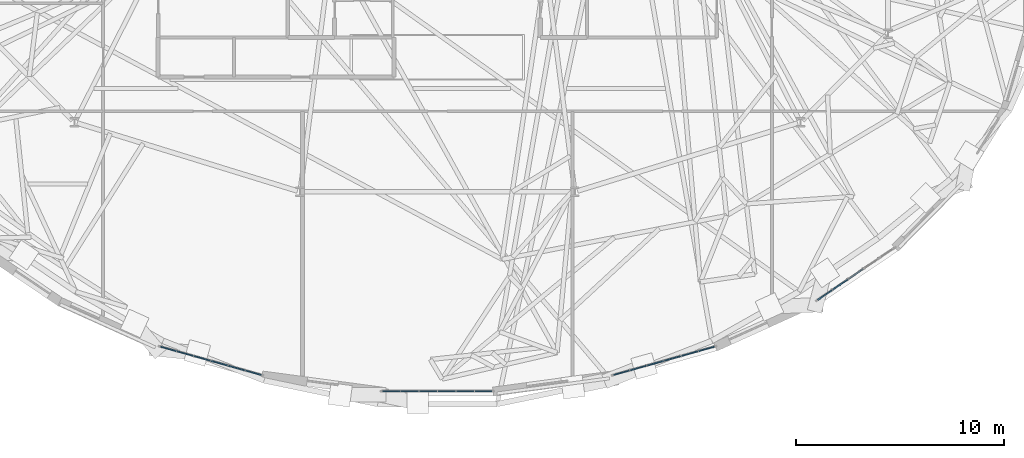
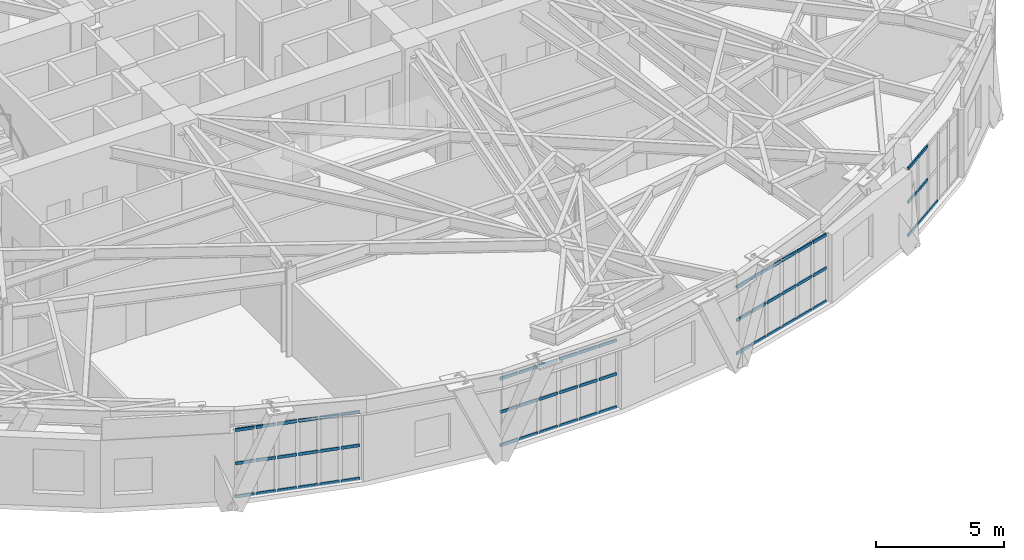
# One storey, part 8 of 20: 61 members, 4 elements without a shape of their own.
"""IFC4 building model written with IfcOpenShell, lengths in metres."""

from ifc_helpers import new_model, si_unit, direction, frame, origin, origin_2d, place, context, subcontext, project, spatial, rectangle, extrude, material, layer, layer_set, material_profile, profile_set, type_object, element, aggregate, save


model = new_model("IFC4")

# Units and contexts
model_context = context("Model", 3, precision=1e-05, world=origin(), true_north=direction((0.0, 1.0)))
body_context = subcontext(model_context, "Body", "Model", "MODEL_VIEW")
ifc_project = project(units=[si_unit("LENGTHUNIT", "METRE"), si_unit("AREAUNIT", "SQUARE_METRE"), si_unit("VOLUMEUNIT", "CUBIC_METRE"), si_unit("PLANEANGLEUNIT", "RADIAN"), si_unit("MASSUNIT", "GRAM", prefix="KILO")], contexts=[model_context])

# Site, building, storey
site_placement = place(None, origin())
site = spatial("IfcSite", under=ifc_project, at=site_placement, CompositionType="ELEMENT")
building_placement = place(site_placement, origin())
building = spatial("IfcBuilding", under=site, at=building_placement, Name="Keldmark Tower", CompositionType="ELEMENT")
storey_placement = place(building_placement, frame((0.0, 0.0, 81.89990234375)))
storey = spatial("IfcBuildingStorey", under=building, at=storey_placement, Name="L21", CompositionType="ELEMENT", Elevation=81.89990234375)

# Curtain wall, members
ifc_material_1 = material(Name="Unitized Thermally Broken Aluminum and Triple Low-E Glazing", Category="aluminium")
ifc_layer = layer(ifc_material_1, 0.219970703125)
ifc_layer_set = layer_set([ifc_layer], Name="Unitized Thermally Broken Aluminum and Triple Low-E Glazing")
curtain_wall_type = type_object("IfcCurtainWallType", Name="Sky Lobby Amenity Curtain Wall System", PredefinedType="NOTDEFINED", material=ifc_layer_set)
curtain_wall_1_placement = place(storey_placement, origin())
curtain_wall_1 = element("IfcCurtainWall", 1, at=curtain_wall_1_placement, inside=storey, type_object=curtain_wall_type, Name="L21 Sky Lobby Amenity Curtain Wall System CW-L21-22", PredefinedType="NOTDEFINED")
ifc_material_2 = material(Name="Extruded Aluminum Alloy 6063-T6", Category="aluminium")
ifc_material_profile = material_profile(ifc_material_2, rectangle(XDim=0.06005859375, YDim=0.139892578125, at=origin_2d()), Name="CWT60X140")
ifc_profile_set = profile_set([ifc_material_profile], Name="Extruded Aluminum Alloy 6063-T6")
member_type = type_object("IfcMemberType", Name="Curtain Wall Horizontal Transom 60x140", PredefinedType="USERDEFINED", material=ifc_profile_set)
member_1_placement = place(storey_placement, frame((-8.493408203125, -18.39453125, 0.030029296875), z_axis=(-0.962811656393, 0.270173489286, 0.0), x_axis=(-0.270173489286, -0.962811656393, 0.0)))
member_1 = element("IfcMember", 2, at=member_1_placement, type_object=member_type, Name="CW transom 1.1", ObjectType="TRANSOM", PredefinedType="USERDEFINED", context=body_context, shape_type="SweptSolid", body=[
    extrude(rectangle(XDim=0.06005859375, YDim=0.139892578125, at=origin_2d()), origin(), (0.0, 0.0, 1.0), 0.766357421875),
])
member_2_placement = place(storey_placement, frame((-8.493408203125, -18.39453125, 1.614013671875), z_axis=(-0.962811656393, 0.270173489286, 0.0), x_axis=(-0.270173489286, -0.962811656393, 0.0)))
member_2 = element("IfcMember", 3, at=member_2_placement, type_object=member_type, Name="CW transom 1.2", ObjectType="TRANSOM", PredefinedType="USERDEFINED", context=body_context, shape_type="SweptSolid", body=[
    extrude(rectangle(XDim=0.06005859375, YDim=0.139892578125, at=origin_2d()), origin(), (0.0, 0.0, 1.0), 0.766357421875),
])
member_3_placement = place(storey_placement, frame((-8.493408203125, -18.39453125, 3.197998046875), z_axis=(-0.962811656393, 0.270173489286, 0.0), x_axis=(-0.270173489286, -0.962811656393, 0.0)))
member_3 = element("IfcMember", 4, at=member_3_placement, type_object=member_type, Name="CW transom 1.3", ObjectType="TRANSOM", PredefinedType="USERDEFINED", context=body_context, shape_type="SweptSolid", body=[
    extrude(rectangle(XDim=0.06005859375, YDim=0.139892578125, at=origin_2d()), origin(), (0.0, 0.0, 1.0), 0.766357421875),
])
member_4_placement = place(storey_placement, frame((-9.288818359375, -18.17138671875, 0.030029296875), z_axis=(-0.962820577043, 0.270141696935, 0.0), x_axis=(-0.270141696935, -0.962820577043, 0.0)))
member_4 = element("IfcMember", 5, at=member_4_placement, type_object=member_type, Name="CW transom 2.1", ObjectType="TRANSOM", PredefinedType="USERDEFINED", context=body_context, shape_type="SweptSolid", body=[
    extrude(rectangle(XDim=0.06005859375, YDim=0.139892578125, at=origin_2d()), origin(), (0.0, 0.0, 1.0), 0.796142578125),
])
member_5_placement = place(storey_placement, frame((-9.288818359375, -18.17138671875, 1.614013671875), z_axis=(-0.962820577043, 0.270141696935, 0.0), x_axis=(-0.270141696935, -0.962820577043, 0.0)))
member_5 = element("IfcMember", 6, at=member_5_placement, type_object=member_type, Name="CW transom 2.2", ObjectType="TRANSOM", PredefinedType="USERDEFINED", context=body_context, shape_type="SweptSolid", body=[
    extrude(rectangle(XDim=0.06005859375, YDim=0.139892578125, at=origin_2d()), origin(), (0.0, 0.0, 1.0), 0.796142578125),
])
member_6_placement = place(storey_placement, frame((-9.288818359375, -18.17138671875, 3.197998046875), z_axis=(-0.962820577043, 0.270141696935, 0.0), x_axis=(-0.270141696935, -0.962820577043, 0.0)))
member_6 = element("IfcMember", 7, at=member_6_placement, type_object=member_type, Name="CW transom 2.3", ObjectType="TRANSOM", PredefinedType="USERDEFINED", context=body_context, shape_type="SweptSolid", body=[
    extrude(rectangle(XDim=0.06005859375, YDim=0.139892578125, at=origin_2d()), origin(), (0.0, 0.0, 1.0), 0.796142578125),
])
member_7_placement = place(storey_placement, frame((-10.11328125, -17.940185546875, 0.030029296875), z_axis=(-0.962820577043, 0.270141696935, 0.0), x_axis=(-0.270141696935, -0.962820577043, 0.0)))
member_7 = element("IfcMember", 8, at=member_7_placement, type_object=member_type, Name="CW transom 3.1", ObjectType="TRANSOM", PredefinedType="USERDEFINED", context=body_context, shape_type="SweptSolid", body=[
    extrude(rectangle(XDim=0.06005859375, YDim=0.139892578125, at=origin_2d()), origin(), (0.0, 0.0, 1.0), 0.796142578125),
])
member_8_placement = place(storey_placement, frame((-10.11328125, -17.940185546875, 1.614013671875), z_axis=(-0.962820577043, 0.270141696935, 0.0), x_axis=(-0.270141696935, -0.962820577043, 0.0)))
member_8 = element("IfcMember", 9, at=member_8_placement, type_object=member_type, Name="CW transom 3.2", ObjectType="TRANSOM", PredefinedType="USERDEFINED", context=body_context, shape_type="SweptSolid", body=[
    extrude(rectangle(XDim=0.06005859375, YDim=0.139892578125, at=origin_2d()), origin(), (0.0, 0.0, 1.0), 0.796142578125),
])
member_9_placement = place(storey_placement, frame((-10.11328125, -17.940185546875, 3.197998046875), z_axis=(-0.962820577043, 0.270141696935, 0.0), x_axis=(-0.270141696935, -0.962820577043, 0.0)))
member_9 = element("IfcMember", 10, at=member_9_placement, type_object=member_type, Name="CW transom 3.3", ObjectType="TRANSOM", PredefinedType="USERDEFINED", context=body_context, shape_type="SweptSolid", body=[
    extrude(rectangle(XDim=0.06005859375, YDim=0.139892578125, at=origin_2d()), origin(), (0.0, 0.0, 1.0), 0.796142578125),
])
member_10_placement = place(storey_placement, frame((-10.937744140625, -17.708984375, 0.030029296875), z_axis=(-0.962820577043, 0.270141696935, 0.0), x_axis=(-0.270141696935, -0.962820577043, 0.0)))
member_10 = element("IfcMember", 11, at=member_10_placement, type_object=member_type, Name="CW transom 4.1", ObjectType="TRANSOM", PredefinedType="USERDEFINED", context=body_context, shape_type="SweptSolid", body=[
    extrude(rectangle(XDim=0.06005859375, YDim=0.139892578125, at=origin_2d()), origin(), (0.0, 0.0, 1.0), 0.796142578125),
])
member_11_placement = place(storey_placement, frame((-10.937744140625, -17.708984375, 1.614013671875), z_axis=(-0.962820577043, 0.270141696935, 0.0), x_axis=(-0.270141696935, -0.962820577043, 0.0)))
member_11 = element("IfcMember", 12, at=member_11_placement, type_object=member_type, Name="CW transom 4.2", ObjectType="TRANSOM", PredefinedType="USERDEFINED", context=body_context, shape_type="SweptSolid", body=[
    extrude(rectangle(XDim=0.06005859375, YDim=0.139892578125, at=origin_2d()), origin(), (0.0, 0.0, 1.0), 0.796142578125),
])
member_12_placement = place(storey_placement, frame((-10.937744140625, -17.708984375, 3.197998046875), z_axis=(-0.962820577043, 0.270141696935, 0.0), x_axis=(-0.270141696935, -0.962820577043, 0.0)))
member_12 = element("IfcMember", 13, at=member_12_placement, type_object=member_type, Name="CW transom 4.3", ObjectType="TRANSOM", PredefinedType="USERDEFINED", context=body_context, shape_type="SweptSolid", body=[
    extrude(rectangle(XDim=0.06005859375, YDim=0.139892578125, at=origin_2d()), origin(), (0.0, 0.0, 1.0), 0.796142578125),
])
member_13_placement = place(storey_placement, frame((-11.76220703125, -17.477783203125, 0.030029296875), z_axis=(-0.962820577043, 0.270141696935, 0.0), x_axis=(-0.270141696935, -0.962820577043, 0.0)))
member_13 = element("IfcMember", 14, at=member_13_placement, type_object=member_type, Name="CW transom 5.1", ObjectType="TRANSOM", PredefinedType="USERDEFINED", context=body_context, shape_type="SweptSolid", body=[
    extrude(rectangle(XDim=0.06005859375, YDim=0.139892578125, at=origin_2d()), origin(), (0.0, 0.0, 1.0), 0.796142578125),
])
member_14_placement = place(storey_placement, frame((-11.76220703125, -17.477783203125, 1.614013671875), z_axis=(-0.962820577043, 0.270141696935, 0.0), x_axis=(-0.270141696935, -0.962820577043, 0.0)))
member_14 = element("IfcMember", 15, at=member_14_placement, type_object=member_type, Name="CW transom 5.2", ObjectType="TRANSOM", PredefinedType="USERDEFINED", context=body_context, shape_type="SweptSolid", body=[
    extrude(rectangle(XDim=0.06005859375, YDim=0.139892578125, at=origin_2d()), origin(), (0.0, 0.0, 1.0), 0.796142578125),
])
member_15_placement = place(storey_placement, frame((-11.76220703125, -17.477783203125, 3.197998046875), z_axis=(-0.962820577043, 0.270141696935, 0.0), x_axis=(-0.270141696935, -0.962820577043, 0.0)))
member_15 = element("IfcMember", 16, at=member_15_placement, type_object=member_type, Name="CW transom 5.3", ObjectType="TRANSOM", PredefinedType="USERDEFINED", context=body_context, shape_type="SweptSolid", body=[
    extrude(rectangle(XDim=0.06005859375, YDim=0.139892578125, at=origin_2d()), origin(), (0.0, 0.0, 1.0), 0.796142578125),
])
member_16_placement = place(storey_placement, frame((-12.58642578125, -17.24658203125, 0.030029296875), z_axis=(-0.962894494631, 0.269878106205, 0.0), x_axis=(-0.269878106205, -0.962894494631, 0.0)))
member_16 = element("IfcMember", 17, at=member_16_placement, type_object=member_type, Name="CW transom 6.1", ObjectType="TRANSOM", PredefinedType="USERDEFINED", context=body_context, shape_type="SweptSolid", body=[
    extrude(rectangle(XDim=0.06005859375, YDim=0.139892578125, at=origin_2d()), origin(), (0.0, 0.0, 1.0), 0.76611328125),
])
member_17_placement = place(storey_placement, frame((-12.58642578125, -17.24658203125, 1.614013671875), z_axis=(-0.962894494631, 0.269878106205, 0.0), x_axis=(-0.269878106205, -0.962894494631, 0.0)))
member_17 = element("IfcMember", 18, at=member_17_placement, type_object=member_type, Name="CW transom 6.2", ObjectType="TRANSOM", PredefinedType="USERDEFINED", context=body_context, shape_type="SweptSolid", body=[
    extrude(rectangle(XDim=0.06005859375, YDim=0.139892578125, at=origin_2d()), origin(), (0.0, 0.0, 1.0), 0.76611328125),
])
member_18_placement = place(storey_placement, frame((-12.58642578125, -17.24658203125, 3.197998046875), z_axis=(-0.962894494631, 0.269878106205, 0.0), x_axis=(-0.269878106205, -0.962894494631, 0.0)))
member_18 = element("IfcMember", 19, at=member_18_placement, type_object=member_type, Name="CW transom 6.3", ObjectType="TRANSOM", PredefinedType="USERDEFINED", context=body_context, shape_type="SweptSolid", body=[
    extrude(rectangle(XDim=0.06005859375, YDim=0.139892578125, at=origin_2d()), origin(), (0.0, 0.0, 1.0), 0.76611328125),
])
aggregate(curtain_wall_1, [member_1, member_2, member_3, member_4, member_5, member_6, member_7, member_8, member_9, member_10, member_11, member_12, member_13, member_14, member_15, member_16, member_17, member_18])

curtain_wall_2_placement = place(storey_placement, origin())
curtain_wall_2 = element("IfcCurtainWall", 20, at=curtain_wall_2_placement, inside=storey, type_object=curtain_wall_type, Name="L21 Sky Lobby Amenity Curtain Wall System CW-L21-24", PredefinedType="NOTDEFINED")
member_19_placement = place(storey_placement, frame((2.622802734375, -19.18603515625, 0.030029296875), z_axis=(-1.0, 0.0, 0.0), x_axis=(0.0, -1.0, 0.0)))
member_19 = element("IfcMember", 21, at=member_19_placement, type_object=member_type, Name="CW transom 1.1", ObjectType="TRANSOM", PredefinedType="USERDEFINED", context=body_context, shape_type="SweptSolid", body=[
    extrude(rectangle(XDim=0.06005859375, YDim=0.139892578125, at=origin_2d()), origin(), (0.0, 0.0, 1.0), 0.80419921875),
])
member_20_placement = place(storey_placement, frame((2.622802734375, -19.18603515625, 1.614013671875), z_axis=(-1.0, 0.0, 0.0), x_axis=(0.0, -1.0, 0.0)))
member_20 = element("IfcMember", 22, at=member_20_placement, type_object=member_type, Name="CW transom 1.2", ObjectType="TRANSOM", PredefinedType="USERDEFINED", context=body_context, shape_type="SweptSolid", body=[
    extrude(rectangle(XDim=0.06005859375, YDim=0.139892578125, at=origin_2d()), origin(), (0.0, 0.0, 1.0), 0.80419921875),
])
member_21_placement = place(storey_placement, frame((2.622802734375, -19.18603515625, 3.197998046875), z_axis=(-1.0, 0.0, 0.0), x_axis=(0.0, -1.0, 0.0)))
member_21 = element("IfcMember", 23, at=member_21_placement, type_object=member_type, Name="CW transom 1.3", ObjectType="TRANSOM", PredefinedType="USERDEFINED", context=body_context, shape_type="SweptSolid", body=[
    extrude(rectangle(XDim=0.06005859375, YDim=0.139892578125, at=origin_2d()), origin(), (0.0, 0.0, 1.0), 0.80419921875),
])
member_22_placement = place(storey_placement, frame((1.758544921875, -19.18603515625, 0.030029296875), z_axis=(-1.0, 0.0, 0.0), x_axis=(0.0, -1.0, 0.0)))
member_22 = element("IfcMember", 24, at=member_22_placement, type_object=member_type, Name="CW transom 2.1", ObjectType="TRANSOM", PredefinedType="USERDEFINED", context=body_context, shape_type="SweptSolid", body=[
    extrude(rectangle(XDim=0.06005859375, YDim=0.139892578125, at=origin_2d()), origin(), (0.0, 0.0, 1.0), 0.834228515625),
])
member_23_placement = place(storey_placement, frame((1.758544921875, -19.18603515625, 1.614013671875), z_axis=(-1.0, 0.0, 0.0), x_axis=(0.0, -1.0, 0.0)))
member_23 = element("IfcMember", 25, at=member_23_placement, type_object=member_type, Name="CW transom 2.2", ObjectType="TRANSOM", PredefinedType="USERDEFINED", context=body_context, shape_type="SweptSolid", body=[
    extrude(rectangle(XDim=0.06005859375, YDim=0.139892578125, at=origin_2d()), origin(), (0.0, 0.0, 1.0), 0.834228515625),
])
member_24_placement = place(storey_placement, frame((1.758544921875, -19.18603515625, 3.197998046875), z_axis=(-1.0, 0.0, 0.0), x_axis=(0.0, -1.0, 0.0)))
member_24 = element("IfcMember", 26, at=member_24_placement, type_object=member_type, Name="CW transom 2.3", ObjectType="TRANSOM", PredefinedType="USERDEFINED", context=body_context, shape_type="SweptSolid", body=[
    extrude(rectangle(XDim=0.06005859375, YDim=0.139892578125, at=origin_2d()), origin(), (0.0, 0.0, 1.0), 0.834228515625),
])
member_25_placement = place(storey_placement, frame((0.8642578125, -19.18603515625, 0.030029296875), z_axis=(-1.0, 0.0, 0.0), x_axis=(0.0, -1.0, 0.0)))
member_25 = element("IfcMember", 27, at=member_25_placement, type_object=member_type, Name="CW transom 3.1", ObjectType="TRANSOM", PredefinedType="USERDEFINED", context=body_context, shape_type="SweptSolid", body=[
    extrude(rectangle(XDim=0.06005859375, YDim=0.139892578125, at=origin_2d()), origin(), (0.0, 0.0, 1.0), 0.834228515625),
])
member_26_placement = place(storey_placement, frame((0.8642578125, -19.18603515625, 1.614013671875), z_axis=(-1.0, 0.0, 0.0), x_axis=(0.0, -1.0, 0.0)))
member_26 = element("IfcMember", 28, at=member_26_placement, type_object=member_type, Name="CW transom 3.2", ObjectType="TRANSOM", PredefinedType="USERDEFINED", context=body_context, shape_type="SweptSolid", body=[
    extrude(rectangle(XDim=0.06005859375, YDim=0.139892578125, at=origin_2d()), origin(), (0.0, 0.0, 1.0), 0.834228515625),
])
member_27_placement = place(storey_placement, frame((0.8642578125, -19.18603515625, 3.197998046875), z_axis=(-1.0, 0.0, 0.0), x_axis=(0.0, -1.0, 0.0)))
member_27 = element("IfcMember", 29, at=member_27_placement, type_object=member_type, Name="CW transom 3.3", ObjectType="TRANSOM", PredefinedType="USERDEFINED", context=body_context, shape_type="SweptSolid", body=[
    extrude(rectangle(XDim=0.06005859375, YDim=0.139892578125, at=origin_2d()), origin(), (0.0, 0.0, 1.0), 0.834228515625),
])
member_28_placement = place(storey_placement, frame((-0.030029296875, -19.18603515625, 0.030029296875), z_axis=(-1.0, 0.0, 0.0), x_axis=(0.0, -1.0, 0.0)))
member_28 = element("IfcMember", 30, at=member_28_placement, type_object=member_type, Name="CW transom 4.1", ObjectType="TRANSOM", PredefinedType="USERDEFINED", context=body_context, shape_type="SweptSolid", body=[
    extrude(rectangle(XDim=0.06005859375, YDim=0.139892578125, at=origin_2d()), origin(), (0.0, 0.0, 1.0), 0.834228515625),
])
member_29_placement = place(storey_placement, frame((-0.030029296875, -19.18603515625, 1.614013671875), z_axis=(-1.0, 0.0, 0.0), x_axis=(0.0, -1.0, 0.0)))
member_29 = element("IfcMember", 31, at=member_29_placement, type_object=member_type, Name="CW transom 4.2", ObjectType="TRANSOM", PredefinedType="USERDEFINED", context=body_context, shape_type="SweptSolid", body=[
    extrude(rectangle(XDim=0.06005859375, YDim=0.139892578125, at=origin_2d()), origin(), (0.0, 0.0, 1.0), 0.834228515625),
])
member_30_placement = place(storey_placement, frame((-0.030029296875, -19.18603515625, 3.197998046875), z_axis=(-1.0, 0.0, 0.0), x_axis=(0.0, -1.0, 0.0)))
member_30 = element("IfcMember", 32, at=member_30_placement, type_object=member_type, Name="CW transom 4.3", ObjectType="TRANSOM", PredefinedType="USERDEFINED", context=body_context, shape_type="SweptSolid", body=[
    extrude(rectangle(XDim=0.06005859375, YDim=0.139892578125, at=origin_2d()), origin(), (0.0, 0.0, 1.0), 0.834228515625),
])
member_31_placement = place(storey_placement, frame((-0.92431640625, -19.18603515625, 0.030029296875), z_axis=(-1.0, 0.0, 0.0), x_axis=(0.0, -1.0, 0.0)))
member_31 = element("IfcMember", 33, at=member_31_placement, type_object=member_type, Name="CW transom 5.1", ObjectType="TRANSOM", PredefinedType="USERDEFINED", context=body_context, shape_type="SweptSolid", body=[
    extrude(rectangle(XDim=0.06005859375, YDim=0.139892578125, at=origin_2d()), origin(), (0.0, 0.0, 1.0), 0.834228515625),
])
member_32_placement = place(storey_placement, frame((-0.92431640625, -19.18603515625, 1.614013671875), z_axis=(-1.0, 0.0, 0.0), x_axis=(0.0, -1.0, 0.0)))
member_32 = element("IfcMember", 34, at=member_32_placement, type_object=member_type, Name="CW transom 5.2", ObjectType="TRANSOM", PredefinedType="USERDEFINED", context=body_context, shape_type="SweptSolid", body=[
    extrude(rectangle(XDim=0.06005859375, YDim=0.139892578125, at=origin_2d()), origin(), (0.0, 0.0, 1.0), 0.834228515625),
])
member_33_placement = place(storey_placement, frame((-0.92431640625, -19.18603515625, 3.197998046875), z_axis=(-1.0, 0.0, 0.0), x_axis=(0.0, -1.0, 0.0)))
member_33 = element("IfcMember", 35, at=member_33_placement, type_object=member_type, Name="CW transom 5.3", ObjectType="TRANSOM", PredefinedType="USERDEFINED", context=body_context, shape_type="SweptSolid", body=[
    extrude(rectangle(XDim=0.06005859375, YDim=0.139892578125, at=origin_2d()), origin(), (0.0, 0.0, 1.0), 0.834228515625),
])
member_34_placement = place(storey_placement, frame((-1.818603515625, -19.18603515625, 0.030029296875), z_axis=(-1.0, 0.0, 0.0), x_axis=(0.0, -1.0, 0.0)))
member_34 = element("IfcMember", 36, at=member_34_placement, type_object=member_type, Name="CW transom 6.1", ObjectType="TRANSOM", PredefinedType="USERDEFINED", context=body_context, shape_type="SweptSolid", body=[
    extrude(rectangle(XDim=0.06005859375, YDim=0.139892578125, at=origin_2d()), origin(), (0.0, 0.0, 1.0), 0.80419921875),
])
member_35_placement = place(storey_placement, frame((-1.818603515625, -19.18603515625, 1.614013671875), z_axis=(-1.0, 0.0, 0.0), x_axis=(0.0, -1.0, 0.0)))
member_35 = element("IfcMember", 37, at=member_35_placement, type_object=member_type, Name="CW transom 6.2", ObjectType="TRANSOM", PredefinedType="USERDEFINED", context=body_context, shape_type="SweptSolid", body=[
    extrude(rectangle(XDim=0.06005859375, YDim=0.139892578125, at=origin_2d()), origin(), (0.0, 0.0, 1.0), 0.80419921875),
])
member_36_placement = place(storey_placement, frame((-1.818603515625, -19.18603515625, 3.197998046875), z_axis=(-1.0, 0.0, 0.0), x_axis=(0.0, -1.0, 0.0)))
member_36 = element("IfcMember", 38, at=member_36_placement, type_object=member_type, Name="CW transom 6.3", ObjectType="TRANSOM", PredefinedType="USERDEFINED", context=body_context, shape_type="SweptSolid", body=[
    extrude(rectangle(XDim=0.06005859375, YDim=0.139892578125, at=origin_2d()), origin(), (0.0, 0.0, 1.0), 0.80419921875),
])
aggregate(curtain_wall_2, [member_19, member_20, member_21, member_22, member_23, member_24, member_25, member_26, member_27, member_28, member_29, member_30, member_31, member_32, member_33, member_34, member_35, member_36])

curtain_wall_3_placement = place(storey_placement, origin())
curtain_wall_3 = element("IfcCurtainWall", 39, at=curtain_wall_3_placement, inside=storey, type_object=curtain_wall_type, Name="L21 Sky Lobby Amenity Curtain Wall System CW-L21-26", PredefinedType="NOTDEFINED")
member_37_placement = place(storey_placement, frame((13.32421875, -17.039794921875, 0.030029296875), z_axis=(-0.962894494631, -0.269878106205, 0.0), x_axis=(0.269878106205, -0.962894494631, 0.0)))
member_37 = element("IfcMember", 40, at=member_37_placement, type_object=member_type, Name="CW transom 1.1", ObjectType="TRANSOM", PredefinedType="USERDEFINED", context=body_context, shape_type="SweptSolid", body=[
    extrude(rectangle(XDim=0.06005859375, YDim=0.139892578125, at=origin_2d()), origin(), (0.0, 0.0, 1.0), 0.76611328125),
])
member_38_placement = place(storey_placement, frame((13.32421875, -17.039794921875, 1.614013671875), z_axis=(-0.962894494631, -0.269878106205, 0.0), x_axis=(0.269878106205, -0.962894494631, 0.0)))
member_38 = element("IfcMember", 41, at=member_38_placement, type_object=member_type, Name="CW transom 1.2", ObjectType="TRANSOM", PredefinedType="USERDEFINED", context=body_context, shape_type="SweptSolid", body=[
    extrude(rectangle(XDim=0.06005859375, YDim=0.139892578125, at=origin_2d()), origin(), (0.0, 0.0, 1.0), 0.76611328125),
])
member_39_placement = place(storey_placement, frame((13.32421875, -17.039794921875, 3.197998046875), z_axis=(-0.962894494631, -0.269878106205, 0.0), x_axis=(0.269878106205, -0.962894494631, 0.0)))
member_39 = element("IfcMember", 42, at=member_39_placement, type_object=member_type, Name="CW transom 1.3", ObjectType="TRANSOM", PredefinedType="USERDEFINED", context=body_context, shape_type="SweptSolid", body=[
    extrude(rectangle(XDim=0.06005859375, YDim=0.139892578125, at=origin_2d()), origin(), (0.0, 0.0, 1.0), 0.76611328125),
])
member_40_placement = place(storey_placement, frame((12.52880859375, -17.2626953125, 0.030029296875), z_axis=(-0.962820577043, -0.270141696935, 0.0), x_axis=(0.270141696935, -0.962820577043, 0.0)))
member_40 = element("IfcMember", 43, at=member_40_placement, type_object=member_type, Name="CW transom 2.1", ObjectType="TRANSOM", PredefinedType="USERDEFINED", context=body_context, shape_type="SweptSolid", body=[
    extrude(rectangle(XDim=0.06005859375, YDim=0.139892578125, at=origin_2d()), origin(), (0.0, 0.0, 1.0), 0.796142578125),
])
member_41_placement = place(storey_placement, frame((12.52880859375, -17.2626953125, 1.614013671875), z_axis=(-0.962820577043, -0.270141696935, 0.0), x_axis=(0.270141696935, -0.962820577043, 0.0)))
member_41 = element("IfcMember", 44, at=member_41_placement, type_object=member_type, Name="CW transom 2.2", ObjectType="TRANSOM", PredefinedType="USERDEFINED", context=body_context, shape_type="SweptSolid", body=[
    extrude(rectangle(XDim=0.06005859375, YDim=0.139892578125, at=origin_2d()), origin(), (0.0, 0.0, 1.0), 0.796142578125),
])
member_42_placement = place(storey_placement, frame((12.52880859375, -17.2626953125, 3.197998046875), z_axis=(-0.962820577043, -0.270141696935, 0.0), x_axis=(0.270141696935, -0.962820577043, 0.0)))
member_42 = element("IfcMember", 45, at=member_42_placement, type_object=member_type, Name="CW transom 2.3", ObjectType="TRANSOM", PredefinedType="USERDEFINED", context=body_context, shape_type="SweptSolid", body=[
    extrude(rectangle(XDim=0.06005859375, YDim=0.139892578125, at=origin_2d()), origin(), (0.0, 0.0, 1.0), 0.796142578125),
])
member_43_placement = place(storey_placement, frame((11.704345703125, -17.493896484375, 0.030029296875), z_axis=(-0.962820577043, -0.270141696935, 0.0), x_axis=(0.270141696935, -0.962820577043, 0.0)))
member_43 = element("IfcMember", 46, at=member_43_placement, type_object=member_type, Name="CW transom 3.1", ObjectType="TRANSOM", PredefinedType="USERDEFINED", context=body_context, shape_type="SweptSolid", body=[
    extrude(rectangle(XDim=0.06005859375, YDim=0.139892578125, at=origin_2d()), origin(), (0.0, 0.0, 1.0), 0.796142578125),
])
member_44_placement = place(storey_placement, frame((11.704345703125, -17.493896484375, 1.614013671875), z_axis=(-0.962820577043, -0.270141696935, 0.0), x_axis=(0.270141696935, -0.962820577043, 0.0)))
member_44 = element("IfcMember", 47, at=member_44_placement, type_object=member_type, Name="CW transom 3.2", ObjectType="TRANSOM", PredefinedType="USERDEFINED", context=body_context, shape_type="SweptSolid", body=[
    extrude(rectangle(XDim=0.06005859375, YDim=0.139892578125, at=origin_2d()), origin(), (0.0, 0.0, 1.0), 0.796142578125),
])
member_45_placement = place(storey_placement, frame((11.704345703125, -17.493896484375, 3.197998046875), z_axis=(-0.962820577043, -0.270141696935, 0.0), x_axis=(0.270141696935, -0.962820577043, 0.0)))
member_45 = element("IfcMember", 48, at=member_45_placement, type_object=member_type, Name="CW transom 3.3", ObjectType="TRANSOM", PredefinedType="USERDEFINED", context=body_context, shape_type="SweptSolid", body=[
    extrude(rectangle(XDim=0.06005859375, YDim=0.139892578125, at=origin_2d()), origin(), (0.0, 0.0, 1.0), 0.796142578125),
])
member_46_placement = place(storey_placement, frame((10.8798828125, -17.72509765625, 0.030029296875), z_axis=(-0.962820577043, -0.270141696935, 0.0), x_axis=(0.270141696935, -0.962820577043, 0.0)))
member_46 = element("IfcMember", 49, at=member_46_placement, type_object=member_type, Name="CW transom 4.1", ObjectType="TRANSOM", PredefinedType="USERDEFINED", context=body_context, shape_type="SweptSolid", body=[
    extrude(rectangle(XDim=0.06005859375, YDim=0.139892578125, at=origin_2d()), origin(), (0.0, 0.0, 1.0), 0.796142578125),
])
member_47_placement = place(storey_placement, frame((10.8798828125, -17.72509765625, 1.614013671875), z_axis=(-0.962820577043, -0.270141696935, 0.0), x_axis=(0.270141696935, -0.962820577043, 0.0)))
member_47 = element("IfcMember", 50, at=member_47_placement, type_object=member_type, Name="CW transom 4.2", ObjectType="TRANSOM", PredefinedType="USERDEFINED", context=body_context, shape_type="SweptSolid", body=[
    extrude(rectangle(XDim=0.06005859375, YDim=0.139892578125, at=origin_2d()), origin(), (0.0, 0.0, 1.0), 0.796142578125),
])
member_48_placement = place(storey_placement, frame((10.8798828125, -17.72509765625, 3.197998046875), z_axis=(-0.962820577043, -0.270141696935, 0.0), x_axis=(0.270141696935, -0.962820577043, 0.0)))
member_48 = element("IfcMember", 51, at=member_48_placement, type_object=member_type, Name="CW transom 4.3", ObjectType="TRANSOM", PredefinedType="USERDEFINED", context=body_context, shape_type="SweptSolid", body=[
    extrude(rectangle(XDim=0.06005859375, YDim=0.139892578125, at=origin_2d()), origin(), (0.0, 0.0, 1.0), 0.796142578125),
])
member_49_placement = place(storey_placement, frame((10.055419921875, -17.956298828125, 0.030029296875), z_axis=(-0.962820577043, -0.270141696935, 0.0), x_axis=(0.270141696935, -0.962820577043, 0.0)))
member_49 = element("IfcMember", 52, at=member_49_placement, type_object=member_type, Name="CW transom 5.1", ObjectType="TRANSOM", PredefinedType="USERDEFINED", context=body_context, shape_type="SweptSolid", body=[
    extrude(rectangle(XDim=0.06005859375, YDim=0.139892578125, at=origin_2d()), origin(), (0.0, 0.0, 1.0), 0.796142578125),
])
member_50_placement = place(storey_placement, frame((10.055419921875, -17.956298828125, 1.614013671875), z_axis=(-0.962820577043, -0.270141696935, 0.0), x_axis=(0.270141696935, -0.962820577043, 0.0)))
member_50 = element("IfcMember", 53, at=member_50_placement, type_object=member_type, Name="CW transom 5.2", ObjectType="TRANSOM", PredefinedType="USERDEFINED", context=body_context, shape_type="SweptSolid", body=[
    extrude(rectangle(XDim=0.06005859375, YDim=0.139892578125, at=origin_2d()), origin(), (0.0, 0.0, 1.0), 0.796142578125),
])
member_51_placement = place(storey_placement, frame((10.055419921875, -17.956298828125, 3.197998046875), z_axis=(-0.962820577043, -0.270141696935, 0.0), x_axis=(0.270141696935, -0.962820577043, 0.0)))
member_51 = element("IfcMember", 54, at=member_51_placement, type_object=member_type, Name="CW transom 5.3", ObjectType="TRANSOM", PredefinedType="USERDEFINED", context=body_context, shape_type="SweptSolid", body=[
    extrude(rectangle(XDim=0.06005859375, YDim=0.139892578125, at=origin_2d()), origin(), (0.0, 0.0, 1.0), 0.796142578125),
])
member_52_placement = place(storey_placement, frame((9.231201171875, -18.1875, 0.030029296875), z_axis=(-0.962811656393, -0.270173489286, 0.0), x_axis=(0.270173489286, -0.962811656393, 0.0)))
member_52 = element("IfcMember", 55, at=member_52_placement, type_object=member_type, Name="CW transom 6.1", ObjectType="TRANSOM", PredefinedType="USERDEFINED", context=body_context, shape_type="SweptSolid", body=[
    extrude(rectangle(XDim=0.06005859375, YDim=0.139892578125, at=origin_2d()), origin(), (0.0, 0.0, 1.0), 0.766357421875),
])
member_53_placement = place(storey_placement, frame((9.231201171875, -18.1875, 1.614013671875), z_axis=(-0.962811656393, -0.270173489286, 0.0), x_axis=(0.270173489286, -0.962811656393, 0.0)))
member_53 = element("IfcMember", 56, at=member_53_placement, type_object=member_type, Name="CW transom 6.2", ObjectType="TRANSOM", PredefinedType="USERDEFINED", context=body_context, shape_type="SweptSolid", body=[
    extrude(rectangle(XDim=0.06005859375, YDim=0.139892578125, at=origin_2d()), origin(), (0.0, 0.0, 1.0), 0.766357421875),
])
member_54_placement = place(storey_placement, frame((9.231201171875, -18.1875, 3.197998046875), z_axis=(-0.962811656393, -0.270173489286, 0.0), x_axis=(0.270173489286, -0.962811656393, 0.0)))
member_54 = element("IfcMember", 57, at=member_54_placement, type_object=member_type, Name="CW transom 6.3", ObjectType="TRANSOM", PredefinedType="USERDEFINED", context=body_context, shape_type="SweptSolid", body=[
    extrude(rectangle(XDim=0.06005859375, YDim=0.139892578125, at=origin_2d()), origin(), (0.0, 0.0, 1.0), 0.766357421875),
])
aggregate(curtain_wall_3, [member_37, member_38, member_39, member_40, member_41, member_42, member_43, member_44, member_45, member_46, member_47, member_48, member_49, member_50, member_51, member_52, member_53, member_54])

curtain_wall_4_placement = place(storey_placement, origin())
curtain_wall_4 = element("IfcCurtainWall", 58, at=curtain_wall_4_placement, inside=storey, type_object=curtain_wall_type, Name="L21 Sky Lobby Amenity Curtain Wall System CW-L21-28", PredefinedType="NOTDEFINED")
member_55_placement = place(storey_placement, frame((20.494384765625, -13.30224609375, 0.030029296875), z_axis=(-0.828043690832, -0.560663576552, 0.0), x_axis=(0.560663576552, -0.828043690832, 0.0)))
member_55 = element("IfcMember", 59, at=member_55_placement, type_object=member_type, Name="CW transom 3.1", ObjectType="TRANSOM", PredefinedType="USERDEFINED", context=body_context, shape_type="SweptSolid", body=[
    extrude(rectangle(XDim=0.06005859375, YDim=0.139892578125, at=origin_2d()), origin(), (0.0, 0.0, 1.0), 0.84814453125),
])
member_56_placement = place(storey_placement, frame((19.742431640625, -13.8115234375, 0.030029296875), z_axis=(-0.828177308107, -0.560466186613, 0.0), x_axis=(0.560466186613, -0.828177308107, 0.0)))
member_56 = element("IfcMember", 60, at=member_56_placement, type_object=member_type, Name="CW transom 4.1", ObjectType="TRANSOM", PredefinedType="USERDEFINED", context=body_context, shape_type="SweptSolid", body=[
    extrude(rectangle(XDim=0.06005859375, YDim=0.139892578125, at=origin_2d()), origin(), (0.0, 0.0, 1.0), 0.84814453125),
])
member_57_placement = place(storey_placement, frame((19.742431640625, -13.8115234375, 1.614013671875), z_axis=(-0.828177308107, -0.560466186613, 0.0), x_axis=(0.560466186613, -0.828177308107, 0.0)))
member_57 = element("IfcMember", 61, at=member_57_placement, type_object=member_type, Name="CW transom 4.2", ObjectType="TRANSOM", PredefinedType="USERDEFINED", context=body_context, shape_type="SweptSolid", body=[
    extrude(rectangle(XDim=0.06005859375, YDim=0.139892578125, at=origin_2d()), origin(), (0.0, 0.0, 1.0), 0.84814453125),
])
member_58_placement = place(storey_placement, frame((19.742431640625, -13.8115234375, 3.197998046875), z_axis=(-0.828177308107, -0.560466186613, 0.0), x_axis=(0.560466186613, -0.828177308107, 0.0)))
member_58 = element("IfcMember", 62, at=member_58_placement, type_object=member_type, Name="CW transom 4.3", ObjectType="TRANSOM", PredefinedType="USERDEFINED", context=body_context, shape_type="SweptSolid", body=[
    extrude(rectangle(XDim=0.06005859375, YDim=0.139892578125, at=origin_2d()), origin(), (0.0, 0.0, 1.0), 0.84814453125),
])
member_59_placement = place(storey_placement, frame((18.990234375, -14.320556640625, 0.030029296875), z_axis=(-0.828034879177, -0.560676590261, 0.0), x_axis=(0.560676590261, -0.828034879177, 0.0)))
member_59 = element("IfcMember", 63, at=member_59_placement, type_object=member_type, Name="CW transom 5.1", ObjectType="TRANSOM", PredefinedType="USERDEFINED", context=body_context, shape_type="SweptSolid", body=[
    extrude(rectangle(XDim=0.06005859375, YDim=0.139892578125, at=origin_2d()), origin(), (0.0, 0.0, 1.0), 0.818115234375),
])
member_60_placement = place(storey_placement, frame((18.990234375, -14.320556640625, 1.614013671875), z_axis=(-0.828034879177, -0.560676590261, 0.0), x_axis=(0.560676590261, -0.828034879177, 0.0)))
member_60 = element("IfcMember", 64, at=member_60_placement, type_object=member_type, Name="CW transom 5.2", ObjectType="TRANSOM", PredefinedType="USERDEFINED", context=body_context, shape_type="SweptSolid", body=[
    extrude(rectangle(XDim=0.06005859375, YDim=0.139892578125, at=origin_2d()), origin(), (0.0, 0.0, 1.0), 0.818115234375),
])
member_61_placement = place(storey_placement, frame((18.990234375, -14.320556640625, 3.197998046875), z_axis=(-0.828034879177, -0.560676590261, 0.0), x_axis=(0.560676590261, -0.828034879177, 0.0)))
member_61 = element("IfcMember", 65, at=member_61_placement, type_object=member_type, Name="CW transom 5.3", ObjectType="TRANSOM", PredefinedType="USERDEFINED", context=body_context, shape_type="SweptSolid", body=[
    extrude(rectangle(XDim=0.06005859375, YDim=0.139892578125, at=origin_2d()), origin(), (0.0, 0.0, 1.0), 0.818115234375),
])
aggregate(curtain_wall_4, [member_55, member_56, member_57, member_58, member_59, member_60, member_61])

save(model, "model.ifc")
